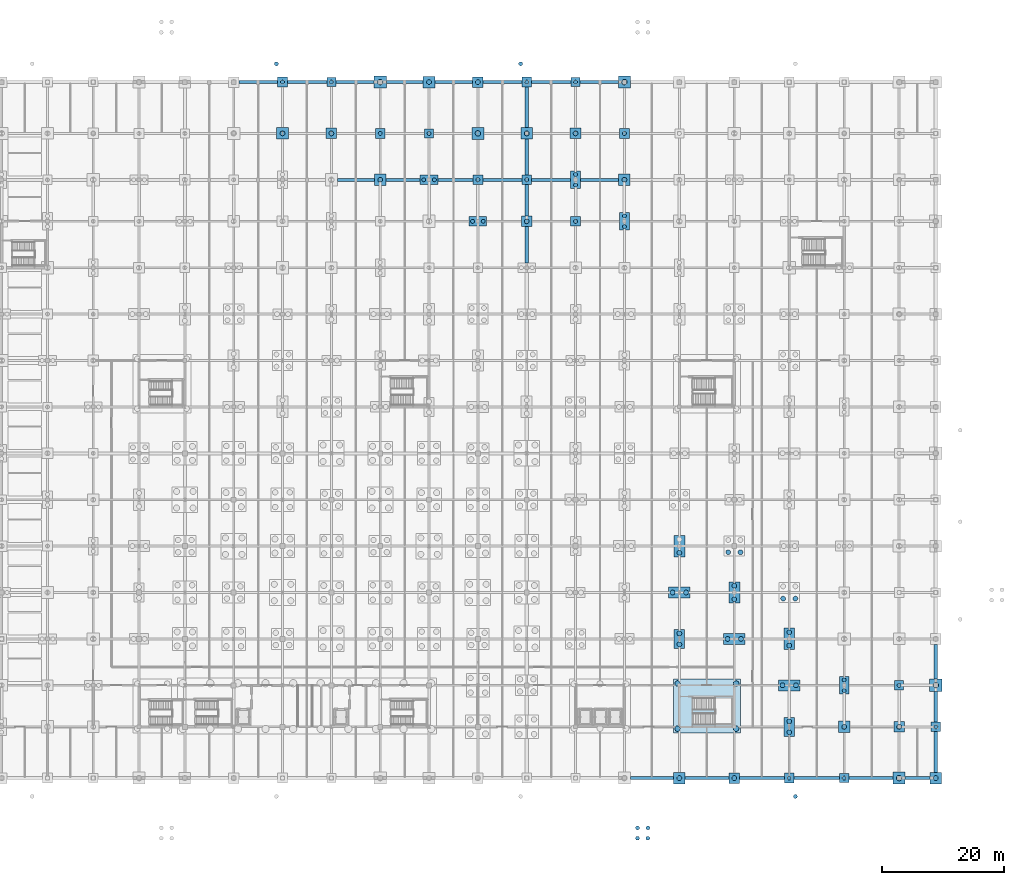
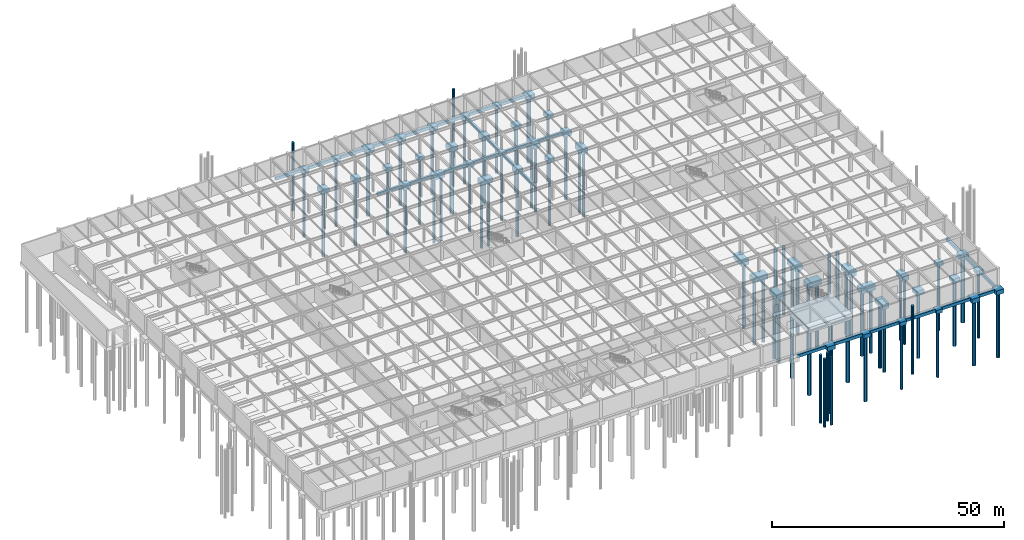
# One storey, part 6 of 53: 74 footings, 73 piles.
"""IFC4 building model written with IfcOpenShell, lengths in metres."""

from ifc_helpers import new_model, si_unit, direction, frame, origin, origin_2d, place, context, subcontext, project, spatial, rectangle, circle, extrude, material, material_profile, profile_set, type_object, element, save


model = new_model("IFC4")

# Units and contexts
model_context = context("Model", 3, precision=1e-05, world=origin(), true_north=direction((0.0, 1.0)))
body_context = subcontext(model_context, "Body", "Model", "MODEL_VIEW")
ifc_project = project(units=[si_unit("LENGTHUNIT", "METRE"), si_unit("AREAUNIT", "SQUARE_METRE"), si_unit("VOLUMEUNIT", "CUBIC_METRE"), si_unit("PLANEANGLEUNIT", "RADIAN"), si_unit("MASSUNIT", "GRAM", prefix="KILO")], contexts=[model_context])

# Site, building, storey
site_placement = place(None, origin())
site = spatial("IfcSite", under=ifc_project, at=site_placement, CompositionType="ELEMENT")
building_placement = place(site_placement, origin())
building = spatial("IfcBuilding", under=site, at=building_placement, Name="Shalkamar Park Central Library", CompositionType="ELEMENT")
storey_placement = place(building_placement, frame((0.0, 0.0, -4.800048828125)))
storey = spatial("IfcBuildingStorey", under=building, at=storey_placement, Name="B1", CompositionType="ELEMENT", Elevation=-4.800048828125)

# Piles
ifc_material = material(Name="Concrete C35/45", Category="concrete")
ifc_material_profile_1 = material_profile(ifc_material, circle(Radius=0.324951171875, at=origin_2d()), Name="PILE D650")
ifc_profile_set_1 = profile_set([ifc_material_profile_1], Name="Concrete C35/45")
pile_type_1 = type_object("IfcPileType", Name="Bored Concrete Pile D650", PredefinedType="BORED", material=ifc_profile_set_1)
for number, where, z_axis, x_axis, name in (
    (1, (181.0, 354.0, -0.800048828125), (0.0, 0.0, -1.0), (1.0, 0.0, 0.0), "Bored Pile FC-09-R-P01"),
    (2, (189.0, 354.0, -0.800048828125), (0.0, 0.0, -1.0), (1.0, 0.0, 0.0), "Bored Pile FC-10-R-P01"),
    (3, (197.0, 345.60009765625, -0.800048828125), (0.0, 0.0, -1.0), (1.0, 0.0, 0.0), "Bored Pile FC-11-Q-P01"),
    (4, (204.125, 338.0, -0.800048828125), (0.0, 0.0, -1.0), (1.0, 0.0, 0.0), "Bored Pile FC-12-P-P01"),
    (5, (205.875, 338.0, -0.800048828125), (0.0, 0.0, -1.0), (1.0, 0.0, 0.0), "Bored Pile FC-12-P-P02"),
    (6, (205.0, 345.60009765625, -0.800048828125), (0.0, 0.0, -1.0), (1.0, 0.0, 0.0), "Bored Pile FC-12-Q-P01"),
    (7, (212.125, 331.199951171875, -0.800048828125), (0.0, 0.0, -1.0), (1.0, 0.0, 0.0), "Bored Pile FC-13-N-P01"),
    (8, (213.875, 331.199951171875, -0.800048828125), (0.0, 0.0, -1.0), (1.0, 0.0, 0.0), "Bored Pile FC-13-N-P02"),
    (9, (213.0, 338.0, -0.800048828125), (0.0, 0.0, -1.0), (1.0, 0.0, 0.0), "Bored Pile FC-13-P-P01"),
    (10, (221.0, 338.0, -0.800048828125), (0.0, 0.0, -1.0), (1.0, 0.0, 0.0), "Bored Pile FC-14-P-P01"),
    (11, (221.0, 354.0, -0.800048828125), (0.0, 0.0, -1.0), (1.0, 0.0, 0.0), "Bored Pile FC-14-R-P01"),
    (12, (229.0, 331.199951171875, -0.800048828125), (0.0, 0.0, -1.0), (1.0, 0.0, 0.0), "Bored Pile FC-15-N-P01"),
    (13, (229.0, 337.125, -0.800048828125), (0.0, 0.0, -1.0), (1.0, 0.0, 0.0), "Bored Pile FC-15-P-P01"),
    (14, (229.0, 338.875, -0.800048828125), (0.0, 0.0, -1.0), (1.0, 0.0, 0.0), "Bored Pile FC-15-P-P02"),
    (15, (229.0, 354.0, -0.800048828125), (0.0, 0.0, -1.0), (1.0, 0.0, 0.0), "Bored Pile FC-15-R-P01"),
    (16, (237.0, 330.324951171875, -0.800048828125), (0.0, 0.0, -1.0), (1.0, 0.0, 0.0), "Bored Pile FC-16-N-P01"),
    (17, (237.0, 332.074951171875, -0.800048828125), (0.0, 0.0, -1.0), (1.0, 0.0, 0.0), "Bored Pile FC-16-N-P02"),
    (18, (237.0, 345.60009765625, -0.800048828125), (0.0, 0.0, -1.0), (1.0, 0.0, 0.0), "Bored Pile FC-16-Q-P01"),
    (19, (264.0, 240.0, -0.800048828125), (0.0, 0.0, -1.0), (1.0, 0.0, 0.0), "Bored Pile FC-19-A-P01"),
    (20, (273.0, 240.0, -0.800048828125), (0.0, 0.0, -1.0), (1.0, 0.0, 0.0), "Bored Pile FC-20-A-P01"),
    (21, (273.0, 254.324951171875, -0.800048828125), (0.0, 0.0, -1.0), (1.0, 0.0, 0.0), "Bored Pile FC-20-C-P01"),
    (22, (273.0, 256.074951171875, -0.800048828125), (0.0, 0.0, -1.0), (1.0, 0.0, 0.0), "Bored Pile FC-20-C-P02"),
    (23, (282.0, 255.199951171875, -0.800048828125), (0.0, 0.0, -1.0), (1.0, 0.0, 0.0), "Bored Pile FC-21-C-P01"),
    (24, (288.0, 248.39990234375, -0.800048828125), (0.0, 0.0, -1.0), (1.0, 0.0, 0.0), "Bored Pile FC-22-B-P01"),
    (25, (180.0, 357.0, 4.650146484375), (0.0, 0.0, -1.0), (1.0, 0.0, 0.0), "Entrance Apron Pile 05"),
    (26, (220.0, 357.0, 4.650146484375), (0.0, 0.0, -1.0), (1.0, 0.0, 0.0), "Entrance Apron Pile 06"),
    (27, (265.0, 237.0, 4.650146484375), (0.0, 0.0, -1.0), (1.0, 0.0, 0.0), "Entrance Apron Pile 11"),
    (28, (239.14990234375, 230.14990234375, 3.920166015625), (0.0, 0.0, -1.0), (1.0, 0.0, 0.0), "Approach Ramp Pile 04-1"),
    (29, (240.85009765625, 230.14990234375, 3.920166015625), (0.0, 0.0, -1.0), (1.0, 0.0, 0.0), "Approach Ramp Pile 04-2"),
    (30, (240.85009765625, 231.85009765625, 3.920166015625), (0.0, 0.0, -1.0), (1.0, 0.0, 0.0), "Approach Ramp Pile 04-3"),
    (31, (239.14990234375, 231.85009765625, 3.920166015625), (0.0, 0.0, -1.0), (1.0, 0.0, 0.0), "Approach Ramp Pile 04-4"),
):
    element("IfcPile", number, at=place(storey_placement, frame(where, z_axis=z_axis, x_axis=x_axis)), inside=storey, type_object=pile_type_1, Name=name, PredefinedType="BORED", context=body_context, shape_type="SweptSolid", body=[
        extrude(circle(Radius=0.324951171875, at=origin_2d()), origin(), (0.0, 0.0, 1.0), 18.0),
    ])
ifc_material_profile_2 = material_profile(ifc_material, circle(Radius=0.39990234375, at=origin_2d()), Name="PILE D800")
ifc_profile_set_2 = profile_set([ifc_material_profile_2], Name="Concrete C35/45")
pile_type_2 = type_object("IfcPileType", Name="Bored Concrete Pile D800", PredefinedType="BORED", material=ifc_profile_set_2)
for number, where, z_axis, x_axis, name in (
    (32, (181.0, 345.60009765625, -0.800048828125), (0.0, 0.0, -1.0), (1.0, 0.0, 0.0), "Bored Pile FC-09-Q-P01"),
    (33, (189.0, 345.60009765625, -0.800048828125), (0.0, 0.0, -1.0), (1.0, 0.0, 0.0), "Bored Pile FC-10-Q-P01"),
    (34, (197.0, 338.0, -0.800048828125), (0.0, 0.0, -1.0), (1.0, 0.0, 0.0), "Bored Pile FC-11-P-P01"),
    (35, (205.0, 354.0, -0.800048828125), (0.0, 0.0, -1.0), (1.0, 0.0, 0.0), "Bored Pile FC-12-R-P01"),
    (36, (213.0, 354.0, -0.800048828125), (0.0, 0.0, -1.0), (1.0, 0.0, 0.0), "Bored Pile FC-13-R-P01"),
    (37, (221.0, 331.199951171875, -0.800048828125), (0.0, 0.0, -1.0), (1.0, 0.0, 0.0), "Bored Pile FC-14-N-P01"),
    (38, (221.0, 345.60009765625, -0.800048828125), (0.0, 0.0, -1.0), (1.0, 0.0, 0.0), "Bored Pile FC-14-Q-P01"),
    (39, (229.0, 345.60009765625, -0.800048828125), (0.0, 0.0, -1.0), (1.0, 0.0, 0.0), "Bored Pile FC-15-Q-P01"),
    (40, (237.0, 338.0, -0.800048828125), (0.0, 0.0, -1.0), (1.0, 0.0, 0.0), "Bored Pile FC-16-P-P01"),
    (41, (246.0, 240.0, -0.800048828125), (0.0, 0.0, -1.0), (1.0, 0.0, 0.0), "Bored Pile FC-17-A-P01"),
    (42, (246.0, 261.89990234375, -0.800048828125), (0.0, 0.0, -1.0), (1.0, 0.0, 0.0), "Bored Pile FC-17-D-P01"),
    (43, (246.0, 263.699951171875, -0.800048828125), (0.0, 0.0, -1.0), (1.0, 0.0, 0.0), "Bored Pile FC-17-D-P02"),
    (44, (244.89990234375, 270.39990234375, -0.800048828125), (0.0, 0.0, -1.0), (1.0, 0.0, 0.0), "Bored Pile FC-17-E-P01"),
    (45, (247.10009765625, 270.39990234375, -0.800048828125), (0.0, 0.0, -1.0), (1.0, 0.0, 0.0), "Bored Pile FC-17-E-P02"),
    (46, (246.0, 276.89990234375, -0.800048828125), (0.0, 0.0, -1.0), (1.0, 0.0, 0.0), "Bored Pile FC-17-F-P01"),
    (47, (255.0, 240.0, -0.800048828125), (0.0, 0.0, -1.0), (1.0, 0.0, 0.0), "Bored Pile FC-18-A-P01"),
    (48, (253.89990234375, 262.800048828125, -0.800048828125), (0.0, 0.0, -1.0), (1.0, 0.0, 0.0), "Bored Pile FC-18-D-P01"),
    (49, (256.10009765625, 262.800048828125, -0.800048828125), (0.0, 0.0, -1.0), (1.0, 0.0, 0.0), "Bored Pile FC-18-D-P02"),
    (50, (255.0, 269.300048828125, -0.800048828125), (0.0, 0.0, -1.0), (1.0, 0.0, 0.0), "Bored Pile FC-18-E-P01"),
    (51, (255.0, 271.5, -0.800048828125), (0.0, 0.0, -1.0), (1.0, 0.0, 0.0), "Bored Pile FC-18-E-P02"),
    (52, (254.0, 277.0, -0.800048828125), (0.0, 0.0, -1.0), (1.0, 0.0, 0.0), "Bored Pile FC-18-F-P01"),
    (53, (256.0, 277.0, -0.800048828125), (0.0, 0.0, -1.0), (1.0, 0.0, 0.0), "Bored Pile FC-18-F-P03"),
    (54, (264.0, 247.5, -0.800048828125), (0.0, 0.0, -1.0), (1.0, 0.0, 0.0), "Bored Pile FC-19-B-P01"),
    (55, (264.0, 249.300048828125, -0.800048828125), (0.0, 0.0, -1.0), (1.0, 0.0, 0.0), "Bored Pile FC-19-B-P02"),
    (56, (262.89990234375, 255.199951171875, -0.800048828125), (0.0, 0.0, -1.0), (1.0, 0.0, 0.0), "Bored Pile FC-19-C-P01"),
    (57, (265.10009765625, 255.199951171875, -0.800048828125), (0.0, 0.0, -1.0), (1.0, 0.0, 0.0), "Bored Pile FC-19-C-P02"),
    (58, (264.0, 261.699951171875, -0.800048828125), (0.0, 0.0, -1.0), (1.0, 0.0, 0.0), "Bored Pile FC-19-D-P01"),
    (59, (264.0, 263.89990234375, -0.800048828125), (0.0, 0.0, -1.0), (1.0, 0.0, 0.0), "Bored Pile FC-19-D-P02"),
    (60, (263.0, 269.39990234375, -0.800048828125), (0.0, 0.0, -1.0), (1.0, 0.0, 0.0), "Bored Pile FC-19-E-P01"),
    (61, (265.0, 269.39990234375, -0.800048828125), (0.0, 0.0, -1.0), (1.0, 0.0, 0.0), "Bored Pile FC-19-E-P03"),
    (62, (273.0, 248.39990234375, -0.800048828125), (0.0, 0.0, -1.0), (1.0, 0.0, 0.0), "Bored Pile FC-20-B-P01"),
    (63, (282.0, 248.39990234375, -0.800048828125), (0.0, 0.0, -1.0), (1.0, 0.0, 0.0), "Bored Pile FC-21-B-P01"),
    (64, (288.0, 240.0, -0.800048828125), (0.0, 0.0, -1.0), (1.0, 0.0, 0.0), "Bored Pile FC-22-A-P01"),
):
    element("IfcPile", number, at=place(storey_placement, frame(where, z_axis=z_axis, x_axis=x_axis)), inside=storey, type_object=pile_type_2, Name=name, PredefinedType="BORED", context=body_context, shape_type="SweptSolid", body=[
        extrude(circle(Radius=0.39990234375, at=origin_2d()), origin(), (0.0, 0.0, 1.0), 18.0),
    ])
ifc_material_profile_3 = material_profile(ifc_material, circle(Radius=0.449951171875, at=origin_2d()), Name="PILE D900")
ifc_profile_set_3 = profile_set([ifc_material_profile_3], Name="Concrete C35/45")
pile_type_3 = type_object("IfcPileType", Name="Bored Concrete Pile D900", PredefinedType="BORED", material=ifc_profile_set_3)
for number, where, z_axis, x_axis, name in (
    (65, (245.699951171875, 248.10009765625, -0.800048828125), (0.0, 0.0, -1.0), (1.0, 0.0, 0.0), "Bored Pile FC-CORE-P3-P01"),
    (66, (245.699951171875, 255.5, -0.800048828125), (0.0, 0.0, -1.0), (1.0, 0.0, 0.0), "Bored Pile FC-CORE-P3-P02"),
    (67, (255.300048828125, 248.10009765625, -0.800048828125), (0.0, 0.0, -1.0), (1.0, 0.0, 0.0), "Bored Pile FC-CORE-P3-P03"),
    (68, (255.300048828125, 255.5, -0.800048828125), (0.0, 0.0, -1.0), (1.0, 0.0, 0.0), "Bored Pile FC-CORE-P3-P04"),
    (69, (197.0, 354.0, -0.800048828125), (0.0, 0.0, -1.0), (1.0, 0.0, 0.0), "Bored Pile FC-11-R-P01"),
    (70, (213.0, 345.60009765625, -0.800048828125), (0.0, 0.0, -1.0), (1.0, 0.0, 0.0), "Bored Pile FC-13-Q-P01"),
    (71, (237.0, 354.0, -0.800048828125), (0.0, 0.0, -1.0), (1.0, 0.0, 0.0), "Bored Pile FC-16-R-P01"),
    (72, (282.0, 240.0, -0.800048828125), (0.0, 0.0, -1.0), (1.0, 0.0, 0.0), "Bored Pile FC-21-A-P01"),
    (73, (288.0, 255.199951171875, -0.800048828125), (0.0, 0.0, -1.0), (1.0, 0.0, 0.0), "Bored Pile FC-22-C-P01"),
):
    element("IfcPile", number, at=place(storey_placement, frame(where, z_axis=z_axis, x_axis=x_axis)), inside=storey, type_object=pile_type_3, Name=name, PredefinedType="BORED", context=body_context, shape_type="SweptSolid", body=[
        extrude(circle(Radius=0.449951171875, at=origin_2d()), origin(), (0.0, 0.0, 1.0), 18.0),
    ])

# Footings
footing_type_1 = type_object("IfcFootingType", Name="Ground Tie Beam 500x750", PredefinedType="FOOTING_BEAM", material=ifc_material)
footing_1_placement = place(storey_placement, frame((193.02490234375, 338.0, -1.349853515625), z_axis=(0.0, 0.0, 1.0), x_axis=(1.0, 0.0, 0.0)))
element("IfcFooting", 74, at=footing_1_placement, inside=storey, type_object=footing_type_1, Name="Ground Tie Beam TB-X-10-P", PredefinedType="FOOTING_BEAM", context=body_context, shape_type="SweptSolid", body=[
    extrude(rectangle(XDim=6.050048828125, YDim=0.5, at=origin_2d()), origin(), (0.0, 0.0, 1.0), 0.75),
])
footing_2_placement = place(storey_placement, frame((200.75, 338.0, -1.349853515625), z_axis=(0.0, 0.0, 1.0), x_axis=(1.0, 0.0, 0.0)))
element("IfcFooting", 75, at=footing_2_placement, inside=storey, type_object=footing_type_1, Name="Ground Tie Beam TB-X-11-P", PredefinedType="FOOTING_BEAM", context=body_context, shape_type="SweptSolid", body=[
    extrude(rectangle(XDim=5.60009765625, YDim=0.5, at=origin_2d()), origin(), (0.0, 0.0, 1.0), 0.75),
])
footing_3_placement = place(storey_placement, frame((209.324951171875, 338.0, -1.349853515625), z_axis=(0.0, 0.0, 1.0), x_axis=(1.0, 0.0, 0.0)))
element("IfcFooting", 76, at=footing_3_placement, inside=storey, type_object=footing_type_1, Name="Ground Tie Beam TB-X-12-P", PredefinedType="FOOTING_BEAM", context=body_context, shape_type="SweptSolid", body=[
    extrude(rectangle(XDim=5.75, YDim=0.5, at=origin_2d()), origin(), (0.0, 0.0, 1.0), 0.75),
])
for number, where, z_axis, x_axis, name in (
    (77, (217.02490234375, 338.0, -1.349853515625), (0.0, 0.0, 1.0), (1.0, 0.0, 0.0), "Ground Tie Beam TB-X-13-P"),
    (78, (224.97509765625, 338.0, -1.349853515625), (0.0, 0.0, 1.0), (1.0, 0.0, 0.0), "Ground Tie Beam TB-X-14-P"),
):
    element("IfcFooting", number, at=place(storey_placement, frame(where, z_axis=z_axis, x_axis=x_axis)), inside=storey, type_object=footing_type_1, Name=name, PredefinedType="FOOTING_BEAM", context=body_context, shape_type="SweptSolid", body=[
        extrude(rectangle(XDim=6.449951171875, YDim=0.5, at=origin_2d()), origin(), (0.0, 0.0, 1.0), 0.75),
    ])
footing_4_placement = place(storey_placement, frame((232.925048828125, 338.0, -1.349853515625), z_axis=(0.0, 0.0, 1.0), x_axis=(1.0, 0.0, 0.0)))
element("IfcFooting", 79, at=footing_4_placement, inside=storey, type_object=footing_type_1, Name="Ground Tie Beam TB-X-15-P", PredefinedType="FOOTING_BEAM", context=body_context, shape_type="SweptSolid", body=[
    extrude(rectangle(XDim=6.25, YDim=0.5, at=origin_2d()), origin(), (0.0, 0.0, 1.0), 0.75),
])
footing_type_2 = type_object("IfcFootingType", Name="Ground Tie Beam 500x800", PredefinedType="FOOTING_BEAM", material=ifc_material)
footing_5_placement = place(storey_placement, frame((241.52490234375, 240.0, -1.39990234375), z_axis=(0.0, 0.0, 1.0), x_axis=(1.0, 0.0, 0.0)))
element("IfcFooting", 80, at=footing_5_placement, inside=storey, type_object=footing_type_2, Name="Ground Tie Beam TB-X-16-A", PredefinedType="FOOTING_BEAM", context=body_context, shape_type="SweptSolid", body=[
    extrude(rectangle(XDim=7.050048828125, YDim=0.5, at=origin_2d()), origin(), (0.0, 0.0, 1.0), 0.800048828125),
])
footing_6_placement = place(storey_placement, frame((250.53759765625, 240.0, -1.39990234375), z_axis=(0.0, 0.0, 1.0), x_axis=(1.0, 0.0, 0.0)))
element("IfcFooting", 81, at=footing_6_placement, inside=storey, type_object=footing_type_2, Name="Ground Tie Beam TB-X-17-A", PredefinedType="FOOTING_BEAM", context=body_context, shape_type="SweptSolid", body=[
    extrude(rectangle(XDim=7.175048828125, YDim=0.5, at=origin_2d()), origin(), (0.0, 0.0, 1.0), 0.800048828125),
])
footing_7_placement = place(storey_placement, frame((259.53759765625, 240.0, -1.39990234375), z_axis=(0.0, 0.0, 1.0), x_axis=(1.0, 0.0, 0.0)))
element("IfcFooting", 82, at=footing_7_placement, inside=storey, type_object=footing_type_2, Name="Ground Tie Beam TB-X-18-A", PredefinedType="FOOTING_BEAM", context=body_context, shape_type="SweptSolid", body=[
    extrude(rectangle(XDim=7.324951171875, YDim=0.5, at=origin_2d()), origin(), (0.0, 0.0, 1.0), 0.800048828125),
])
footing_8_placement = place(storey_placement, frame((268.52490234375, 240.0, -1.39990234375), z_axis=(0.0, 0.0, 1.0), x_axis=(1.0, 0.0, 0.0)))
element("IfcFooting", 83, at=footing_8_placement, inside=storey, type_object=footing_type_2, Name="Ground Tie Beam TB-X-19-A", PredefinedType="FOOTING_BEAM", context=body_context, shape_type="SweptSolid", body=[
    extrude(rectangle(XDim=7.449951171875, YDim=0.5, at=origin_2d()), origin(), (0.0, 0.0, 1.0), 0.800048828125),
])
footing_9_placement = place(storey_placement, frame((277.375, 240.0, -1.39990234375), z_axis=(0.0, 0.0, 1.0), x_axis=(1.0, 0.0, 0.0)))
element("IfcFooting", 84, at=footing_9_placement, inside=storey, type_object=footing_type_2, Name="Ground Tie Beam TB-X-20-A", PredefinedType="FOOTING_BEAM", context=body_context, shape_type="SweptSolid", body=[
    extrude(rectangle(XDim=7.25, YDim=0.5, at=origin_2d()), origin(), (0.0, 0.0, 1.0), 0.800048828125),
])
footing_10_placement = place(storey_placement, frame((285.02490234375, 240.0, -1.39990234375), z_axis=(0.0, 0.0, 1.0), x_axis=(1.0, 0.0, 0.0)))
element("IfcFooting", 85, at=footing_10_placement, inside=storey, type_object=footing_type_2, Name="Ground Tie Beam TB-X-21-A", PredefinedType="FOOTING_BEAM", context=body_context, shape_type="SweptSolid", body=[
    extrude(rectangle(XDim=4.050048828125, YDim=0.5, at=origin_2d()), origin(), (0.0, 0.0, 1.0), 0.800048828125),
])
footing_11_placement = place(storey_placement, frame((177.03759765625, 354.0, -1.39990234375), z_axis=(0.0, 0.0, 1.0), x_axis=(1.0, 0.0, 0.0)))
element("IfcFooting", 86, at=footing_11_placement, inside=storey, type_object=footing_type_2, Name="Ground Tie Beam TB-X-08-R", PredefinedType="FOOTING_BEAM", context=body_context, shape_type="SweptSolid", body=[
    extrude(rectangle(XDim=6.324951171875, YDim=0.5, at=origin_2d()), origin(), (0.0, 0.0, 1.0), 0.800048828125),
])
footing_12_placement = place(storey_placement, frame((185.02490234375, 354.0, -1.39990234375), z_axis=(0.0, 0.0, 1.0), x_axis=(1.0, 0.0, 0.0)))
element("IfcFooting", 87, at=footing_12_placement, inside=storey, type_object=footing_type_2, Name="Ground Tie Beam TB-X-09-R", PredefinedType="FOOTING_BEAM", context=body_context, shape_type="SweptSolid", body=[
    extrude(rectangle(XDim=6.449951171875, YDim=0.5, at=origin_2d()), origin(), (0.0, 0.0, 1.0), 0.800048828125),
])
footing_13_placement = place(storey_placement, frame((192.875, 354.0, -1.39990234375), z_axis=(0.0, 0.0, 1.0), x_axis=(1.0, 0.0, 0.0)))
element("IfcFooting", 88, at=footing_13_placement, inside=storey, type_object=footing_type_2, Name="Ground Tie Beam TB-X-10-R", PredefinedType="FOOTING_BEAM", context=body_context, shape_type="SweptSolid", body=[
    extrude(rectangle(XDim=6.25, YDim=0.5, at=origin_2d()), origin(), (0.0, 0.0, 1.0), 0.800048828125),
])
footing_14_placement = place(storey_placement, frame((201.02490234375, 354.0, -1.39990234375), z_axis=(0.0, 0.0, 1.0), x_axis=(1.0, 0.0, 0.0)))
element("IfcFooting", 89, at=footing_14_placement, inside=storey, type_object=footing_type_2, Name="Ground Tie Beam TB-X-11-R", PredefinedType="FOOTING_BEAM", context=body_context, shape_type="SweptSolid", body=[
    extrude(rectangle(XDim=6.050048828125, YDim=0.5, at=origin_2d()), origin(), (0.0, 0.0, 1.0), 0.800048828125),
])
footing_15_placement = place(storey_placement, frame((209.03759765625, 354.0, -1.39990234375), z_axis=(0.0, 0.0, 1.0), x_axis=(1.0, 0.0, 0.0)))
element("IfcFooting", 90, at=footing_15_placement, inside=storey, type_object=footing_type_2, Name="Ground Tie Beam TB-X-12-R", PredefinedType="FOOTING_BEAM", context=body_context, shape_type="SweptSolid", body=[
    extrude(rectangle(XDim=6.175048828125, YDim=0.5, at=origin_2d()), origin(), (0.0, 0.0, 1.0), 0.800048828125),
])
footing_16_placement = place(storey_placement, frame((217.03759765625, 354.0, -1.39990234375), z_axis=(0.0, 0.0, 1.0), x_axis=(1.0, 0.0, 0.0)))
element("IfcFooting", 91, at=footing_16_placement, inside=storey, type_object=footing_type_2, Name="Ground Tie Beam TB-X-13-R", PredefinedType="FOOTING_BEAM", context=body_context, shape_type="SweptSolid", body=[
    extrude(rectangle(XDim=6.324951171875, YDim=0.5, at=origin_2d()), origin(), (0.0, 0.0, 1.0), 0.800048828125),
])
footing_17_placement = place(storey_placement, frame((225.02490234375, 354.0, -1.39990234375), z_axis=(0.0, 0.0, 1.0), x_axis=(1.0, 0.0, 0.0)))
element("IfcFooting", 92, at=footing_17_placement, inside=storey, type_object=footing_type_2, Name="Ground Tie Beam TB-X-14-R", PredefinedType="FOOTING_BEAM", context=body_context, shape_type="SweptSolid", body=[
    extrude(rectangle(XDim=6.449951171875, YDim=0.5, at=origin_2d()), origin(), (0.0, 0.0, 1.0), 0.800048828125),
])
footing_18_placement = place(storey_placement, frame((232.875, 354.0, -1.39990234375), z_axis=(0.0, 0.0, 1.0), x_axis=(1.0, 0.0, 0.0)))
element("IfcFooting", 93, at=footing_18_placement, inside=storey, type_object=footing_type_2, Name="Ground Tie Beam TB-X-15-R", PredefinedType="FOOTING_BEAM", context=body_context, shape_type="SweptSolid", body=[
    extrude(rectangle(XDim=6.25, YDim=0.5, at=origin_2d()), origin(), (0.0, 0.0, 1.0), 0.800048828125),
])
footing_19_placement = place(storey_placement, frame((288.0, 244.27490234375, -1.39990234375), z_axis=(0.0, 0.0, 1.0), x_axis=(0.0, 1.0, 0.0)))
element("IfcFooting", 94, at=footing_19_placement, inside=storey, type_object=footing_type_2, Name="Ground Tie Beam TB-Y-22-A", PredefinedType="FOOTING_BEAM", context=body_context, shape_type="SweptSolid", body=[
    extrude(rectangle(XDim=6.64990234375, YDim=0.5, at=origin_2d()), origin(), (0.0, 0.0, 1.0), 0.800048828125),
])
footing_20_placement = place(storey_placement, frame((288.0, 251.699951171875, -1.39990234375), z_axis=(0.0, 0.0, 1.0), x_axis=(0.0, 1.0, 0.0)))
element("IfcFooting", 95, at=footing_20_placement, inside=storey, type_object=footing_type_2, Name="Ground Tie Beam TB-Y-22-B", PredefinedType="FOOTING_BEAM", context=body_context, shape_type="SweptSolid", body=[
    extrude(rectangle(XDim=5.0, YDim=0.5, at=origin_2d()), origin(), (0.0, 0.0, 1.0), 0.800048828125),
])
footing_21_placement = place(storey_placement, frame((288.0, 259.0625, -1.39990234375), z_axis=(0.0, 0.0, 1.0), x_axis=(0.0, 1.0, 0.0)))
element("IfcFooting", 96, at=footing_21_placement, inside=storey, type_object=footing_type_2, Name="Ground Tie Beam TB-Y-22-C", PredefinedType="FOOTING_BEAM", context=body_context, shape_type="SweptSolid", body=[
    extrude(rectangle(XDim=5.72509765625, YDim=0.5, at=origin_2d()), origin(), (0.0, 0.0, 1.0), 0.800048828125),
])
footing_type_3 = type_object("IfcFootingType", Name="Ground Tie Beam 500x850", PredefinedType="FOOTING_BEAM", material=ifc_material)
footing_22_placement = place(storey_placement, frame((221.0, 327.362548828125, -1.449951171875), z_axis=(0.0, 0.0, 1.0), x_axis=(0.0, 1.0, 0.0)))
element("IfcFooting", 97, at=footing_22_placement, inside=storey, type_object=footing_type_3, Name="Ground Tie Beam TB-Y-14-M", PredefinedType="FOOTING_BEAM", context=body_context, shape_type="SweptSolid", body=[
    extrude(rectangle(XDim=5.925048828125, YDim=0.5, at=origin_2d()), origin(), (0.0, 0.0, 1.0), 0.85009765625),
])
footing_23_placement = place(storey_placement, frame((221.0, 334.66259765625, -1.449951171875), z_axis=(0.0, 0.0, 1.0), x_axis=(0.0, 1.0, 0.0)))
element("IfcFooting", 98, at=footing_23_placement, inside=storey, type_object=footing_type_3, Name="Ground Tie Beam TB-Y-14-N", PredefinedType="FOOTING_BEAM", context=body_context, shape_type="SweptSolid", body=[
    extrude(rectangle(XDim=5.175048828125, YDim=0.5, at=origin_2d()), origin(), (0.0, 0.0, 1.0), 0.85009765625),
])
footing_24_placement = place(storey_placement, frame((221.0, 341.699951171875, -1.449951171875), z_axis=(0.0, 0.0, 1.0), x_axis=(0.0, 1.0, 0.0)))
element("IfcFooting", 99, at=footing_24_placement, inside=storey, type_object=footing_type_3, Name="Ground Tie Beam TB-Y-14-P", PredefinedType="FOOTING_BEAM", context=body_context, shape_type="SweptSolid", body=[
    extrude(rectangle(XDim=5.89990234375, YDim=0.5, at=origin_2d()), origin(), (0.0, 0.0, 1.0), 0.85009765625),
])
footing_25_placement = place(storey_placement, frame((221.0, 349.875, -1.449951171875), z_axis=(0.0, 0.0, 1.0), x_axis=(0.0, 1.0, 0.0)))
element("IfcFooting", 100, at=footing_25_placement, inside=storey, type_object=footing_type_3, Name="Ground Tie Beam TB-Y-14-Q", PredefinedType="FOOTING_BEAM", context=body_context, shape_type="SweptSolid", body=[
    extrude(rectangle(XDim=6.64990234375, YDim=0.5, at=origin_2d()), origin(), (0.0, 0.0, 1.0), 0.85009765625),
])
footing_type_4 = type_object("IfcFootingType", Name="Reinforced Concrete Pile Cap 1100x880x155", PredefinedType="PILE_CAP", material=ifc_material)
footing_26_placement = place(storey_placement, frame((250.5, 251.800048828125, -2.14990234375), z_axis=(0.0, 0.0, 1.0), x_axis=(1.0, 0.0, 0.0)))
element("IfcFooting", 101, at=footing_26_placement, inside=storey, type_object=footing_type_4, Name="Pile Cap FC-05", PredefinedType="PILE_CAP", context=body_context, shape_type="SweptSolid", body=[
    extrude(rectangle(XDim=11.0, YDim=8.800048828125, at=origin_2d()), origin(), (0.0, 0.0, 1.0), 1.550048828125),
])
footing_type_5 = type_object("IfcFootingType", Name="Reinforced Concrete Pile Cap 150x150x100", PredefinedType="PILE_CAP", material=ifc_material)
for number, where, z_axis, x_axis, name in (
    (102, (189.0, 354.0, -1.599853515625), (0.0, 0.0, 1.0), (1.0, 0.0, 0.0), "Pile Cap FC-09"),
    (103, (205.0, 345.60009765625, -1.599853515625), (0.0, 0.0, 1.0), (1.0, 0.0, 0.0), "Pile Cap FC-09"),
    (104, (221.0, 338.0, -1.599853515625), (0.0, 0.0, 1.0), (1.0, 0.0, 0.0), "Pile Cap FC-09"),
    (105, (229.0, 354.0, -1.599853515625), (0.0, 0.0, 1.0), (1.0, 0.0, 0.0), "Pile Cap FC-09"),
    (106, (273.0, 240.0, -1.599853515625), (0.0, 0.0, 1.0), (1.0, 0.0, 0.0), "Pile Cap FC-09"),
    (107, (282.0, 255.199951171875, -1.599853515625), (0.0, 0.0, 1.0), (1.0, 0.0, 0.0), "Pile Cap FC-09"),
):
    element("IfcFooting", number, at=place(storey_placement, frame(where, z_axis=z_axis, x_axis=x_axis)), inside=storey, type_object=footing_type_5, Name=name, PredefinedType="PILE_CAP", context=body_context, shape_type="SweptSolid", body=[
        extrude(rectangle(XDim=1.5, YDim=1.5, at=origin_2d()), origin(), (0.0, 0.0, 1.0), 1.0),
    ])
footing_type_6 = type_object("IfcFootingType", Name="Reinforced Concrete Pile Cap 160x160x105", PredefinedType="PILE_CAP", material=ifc_material)
for number, where, z_axis, x_axis, name in (
    (108, (181.0, 354.0, -1.64990234375), (0.0, 0.0, 1.0), (1.0, 0.0, 0.0), "Pile Cap FC-11"),
    (109, (197.0, 345.60009765625, -1.64990234375), (0.0, 0.0, 1.0), (1.0, 0.0, 0.0), "Pile Cap FC-11"),
    (110, (213.0, 338.0, -1.64990234375), (0.0, 0.0, 1.0), (1.0, 0.0, 0.0), "Pile Cap FC-11"),
    (111, (221.0, 354.0, -1.64990234375), (0.0, 0.0, 1.0), (1.0, 0.0, 0.0), "Pile Cap FC-11"),
    (112, (229.0, 331.199951171875, -1.64990234375), (0.0, 0.0, 1.0), (1.0, 0.0, 0.0), "Pile Cap FC-11"),
    (113, (237.0, 345.60009765625, -1.64990234375), (0.0, 0.0, 1.0), (1.0, 0.0, 0.0), "Pile Cap FC-11"),
    (114, (264.0, 240.0, -1.64990234375), (0.0, 0.0, 1.0), (1.0, 0.0, 0.0), "Pile Cap FC-11"),
    (115, (288.0, 248.39990234375, -1.64990234375), (0.0, 0.0, 1.0), (1.0, 0.0, 0.0), "Pile Cap FC-11"),
):
    element("IfcFooting", number, at=place(storey_placement, frame(where, z_axis=z_axis, x_axis=x_axis)), inside=storey, type_object=footing_type_6, Name=name, PredefinedType="PILE_CAP", context=body_context, shape_type="SweptSolid", body=[
        extrude(rectangle(XDim=1.60009765625, YDim=1.60009765625, at=origin_2d()), origin(), (0.0, 0.0, 1.0), 1.050048828125),
    ])
footing_type_7 = type_object("IfcFootingType", Name="Reinforced Concrete Pile Cap 160x290x125", PredefinedType="PILE_CAP", material=ifc_material)
for number, where, z_axis, x_axis, name in (
    (116, (229.0, 338.0, -1.849853515625), (0.0, 0.0, 1.0), (1.0, 0.0, 0.0), "Pile Cap FC-12"),
    (117, (237.0, 331.199951171875, -1.849853515625), (0.0, 0.0, 1.0), (1.0, 0.0, 0.0), "Pile Cap FC-12"),
    (118, (273.0, 255.199951171875, -1.849853515625), (0.0, 0.0, 1.0), (1.0, 0.0, 0.0), "Pile Cap FC-12"),
):
    element("IfcFooting", number, at=place(storey_placement, frame(where, z_axis=z_axis, x_axis=x_axis)), inside=storey, type_object=footing_type_7, Name=name, PredefinedType="PILE_CAP", context=body_context, shape_type="SweptSolid", body=[
        extrude(rectangle(XDim=1.60009765625, YDim=2.89990234375, at=origin_2d()), origin(), (0.0, 0.0, 1.0), 1.25),
    ])
footing_type_8 = type_object("IfcFootingType", Name="Reinforced Concrete Pile Cap 170x310x130", PredefinedType="PILE_CAP", material=ifc_material)
for number, where, z_axis, x_axis, name in (
    (119, (246.0, 262.800048828125, -1.89990234375), (0.0, 0.0, 1.0), (1.0, 0.0, 0.0), "Pile Cap FC-15"),
    (120, (264.0, 248.39990234375, -1.89990234375), (0.0, 0.0, 1.0), (1.0, 0.0, 0.0), "Pile Cap FC-15"),
):
    element("IfcFooting", number, at=place(storey_placement, frame(where, z_axis=z_axis, x_axis=x_axis)), inside=storey, type_object=footing_type_8, Name=name, PredefinedType="PILE_CAP", context=body_context, shape_type="SweptSolid", body=[
        extrude(rectangle(XDim=1.699951171875, YDim=3.10009765625, at=origin_2d()), origin(), (0.0, 0.0, 1.0), 1.300048828125),
    ])
footing_type_9 = type_object("IfcFootingType", Name="Reinforced Concrete Pile Cap 175x175x110", PredefinedType="PILE_CAP", material=ifc_material)
for number, where, z_axis, x_axis, name in (
    (121, (189.0, 345.60009765625, -1.699951171875), (0.0, 0.0, 1.0), (1.0, 0.0, 0.0), "Pile Cap FC-08"),
    (122, (213.0, 354.0, -1.699951171875), (0.0, 0.0, 1.0), (1.0, 0.0, 0.0), "Pile Cap FC-08"),
    (123, (221.0, 331.199951171875, -1.699951171875), (0.0, 0.0, 1.0), (1.0, 0.0, 0.0), "Pile Cap FC-08"),
    (124, (229.0, 345.60009765625, -1.699951171875), (0.0, 0.0, 1.0), (1.0, 0.0, 0.0), "Pile Cap FC-08"),
    (125, (255.0, 240.0, -1.699951171875), (0.0, 0.0, 1.0), (1.0, 0.0, 0.0), "Pile Cap FC-08"),
    (126, (282.0, 248.39990234375, -1.699951171875), (0.0, 0.0, 1.0), (1.0, 0.0, 0.0), "Pile Cap FC-08"),
):
    element("IfcFooting", number, at=place(storey_placement, frame(where, z_axis=z_axis, x_axis=x_axis)), inside=storey, type_object=footing_type_9, Name=name, PredefinedType="PILE_CAP", context=body_context, shape_type="SweptSolid", body=[
        extrude(rectangle(XDim=1.75, YDim=1.75, at=origin_2d()), origin(), (0.0, 0.0, 1.0), 1.10009765625),
    ])
footing_type_10 = type_object("IfcFootingType", Name="Reinforced Concrete Pile Cap 180x350x140", PredefinedType="PILE_CAP", material=ifc_material)
for number, where, z_axis, x_axis, name in (
    (127, (246.0, 278.0, -2.0), (0.0, 0.0, 1.0), (1.0, 0.0, 0.0), "Pile Cap FC-17"),
    (128, (255.0, 270.39990234375, -2.0), (0.0, 0.0, 1.0), (1.0, 0.0, 0.0), "Pile Cap FC-17"),
    (129, (264.0, 262.800048828125, -2.0), (0.0, 0.0, 1.0), (1.0, 0.0, 0.0), "Pile Cap FC-17"),
):
    element("IfcFooting", number, at=place(storey_placement, frame(where, z_axis=z_axis, x_axis=x_axis)), inside=storey, type_object=footing_type_10, Name=name, PredefinedType="PILE_CAP", context=body_context, shape_type="SweptSolid", body=[
        extrude(rectangle(XDim=1.800048828125, YDim=3.5, at=origin_2d()), origin(), (0.0, 0.0, 1.0), 1.39990234375),
    ])
footing_type_11 = type_object("IfcFootingType", Name="Reinforced Concrete Pile Cap 190x190x115", PredefinedType="PILE_CAP", material=ifc_material)
for number, where, z_axis, x_axis, name in (
    (130, (181.0, 345.60009765625, -1.75), (0.0, 0.0, 1.0), (1.0, 0.0, 0.0), "Pile Cap FC-10"),
    (131, (197.0, 338.0, -1.75), (0.0, 0.0, 1.0), (1.0, 0.0, 0.0), "Pile Cap FC-10"),
    (132, (205.0, 354.0, -1.75), (0.0, 0.0, 1.0), (1.0, 0.0, 0.0), "Pile Cap FC-10"),
    (133, (221.0, 345.60009765625, -1.75), (0.0, 0.0, 1.0), (1.0, 0.0, 0.0), "Pile Cap FC-10"),
    (134, (237.0, 338.0, -1.75), (0.0, 0.0, 1.0), (1.0, 0.0, 0.0), "Pile Cap FC-10"),
    (135, (246.0, 240.0, -1.75), (0.0, 0.0, 1.0), (1.0, 0.0, 0.0), "Pile Cap FC-10"),
    (136, (273.0, 248.39990234375, -1.75), (0.0, 0.0, 1.0), (1.0, 0.0, 0.0), "Pile Cap FC-10"),
    (137, (288.0, 240.0, -1.75), (0.0, 0.0, 1.0), (1.0, 0.0, 0.0), "Pile Cap FC-10"),
):
    element("IfcFooting", number, at=place(storey_placement, frame(where, z_axis=z_axis, x_axis=x_axis)), inside=storey, type_object=footing_type_11, Name=name, PredefinedType="PILE_CAP", context=body_context, shape_type="SweptSolid", body=[
        extrude(rectangle(XDim=1.89990234375, YDim=1.89990234375, at=origin_2d()), origin(), (0.0, 0.0, 1.0), 1.14990234375),
    ])
footing_type_12 = type_object("IfcFootingType", Name="Reinforced Concrete Pile Cap 200x200x120", PredefinedType="PILE_CAP", material=ifc_material)
for number, where, z_axis, x_axis, name in (
    (138, (197.0, 354.0, -1.7998046875), (0.0, 0.0, 1.0), (1.0, 0.0, 0.0), "Pile Cap FC-07"),
    (139, (213.0, 345.60009765625, -1.7998046875), (0.0, 0.0, 1.0), (1.0, 0.0, 0.0), "Pile Cap FC-07"),
    (140, (237.0, 354.0, -1.7998046875), (0.0, 0.0, 1.0), (1.0, 0.0, 0.0), "Pile Cap FC-07"),
    (141, (282.0, 240.0, -1.7998046875), (0.0, 0.0, 1.0), (1.0, 0.0, 0.0), "Pile Cap FC-07"),
    (142, (288.0, 255.199951171875, -1.7998046875), (0.0, 0.0, 1.0), (1.0, 0.0, 0.0), "Pile Cap FC-07"),
):
    element("IfcFooting", number, at=place(storey_placement, frame(where, z_axis=z_axis, x_axis=x_axis)), inside=storey, type_object=footing_type_12, Name=name, PredefinedType="PILE_CAP", context=body_context, shape_type="SweptSolid", body=[
        extrude(rectangle(XDim=2.0, YDim=2.0, at=origin_2d()), origin(), (0.0, 0.0, 1.0), 1.199951171875),
    ])
footing_type_13 = type_object("IfcFootingType", Name="Reinforced Concrete Pile Cap 290x160x125", PredefinedType="PILE_CAP", material=ifc_material)
for number, where, z_axis, x_axis, name in (
    (143, (205.0, 338.0, -1.849853515625), (0.0, 0.0, 1.0), (1.0, 0.0, 0.0), "Pile Cap FC-13"),
    (144, (213.0, 331.199951171875, -1.849853515625), (0.0, 0.0, 1.0), (1.0, 0.0, 0.0), "Pile Cap FC-13"),
):
    element("IfcFooting", number, at=place(storey_placement, frame(where, z_axis=z_axis, x_axis=x_axis)), inside=storey, type_object=footing_type_13, Name=name, PredefinedType="PILE_CAP", context=body_context, shape_type="SweptSolid", body=[
        extrude(rectangle(XDim=2.89990234375, YDim=1.60009765625, at=origin_2d()), origin(), (0.0, 0.0, 1.0), 1.25),
    ])
footing_type_14 = type_object("IfcFootingType", Name="Reinforced Concrete Pile Cap 350x180x140", PredefinedType="PILE_CAP", material=ifc_material)
for number, where, z_axis, x_axis, name in (
    (145, (246.0, 270.39990234375, -2.0), (0.0, 0.0, 1.0), (1.0, 0.0, 0.0), "Pile Cap FC-16"),
    (146, (255.0, 262.800048828125, -2.0), (0.0, 0.0, 1.0), (1.0, 0.0, 0.0), "Pile Cap FC-16"),
    (147, (264.0, 255.199951171875, -2.0), (0.0, 0.0, 1.0), (1.0, 0.0, 0.0), "Pile Cap FC-16"),
):
    element("IfcFooting", number, at=place(storey_placement, frame(where, z_axis=z_axis, x_axis=x_axis)), inside=storey, type_object=footing_type_14, Name=name, PredefinedType="PILE_CAP", context=body_context, shape_type="SweptSolid", body=[
        extrude(rectangle(XDim=3.5, YDim=1.800048828125, at=origin_2d()), origin(), (0.0, 0.0, 1.0), 1.39990234375),
    ])

save(model, "model.ifc")
